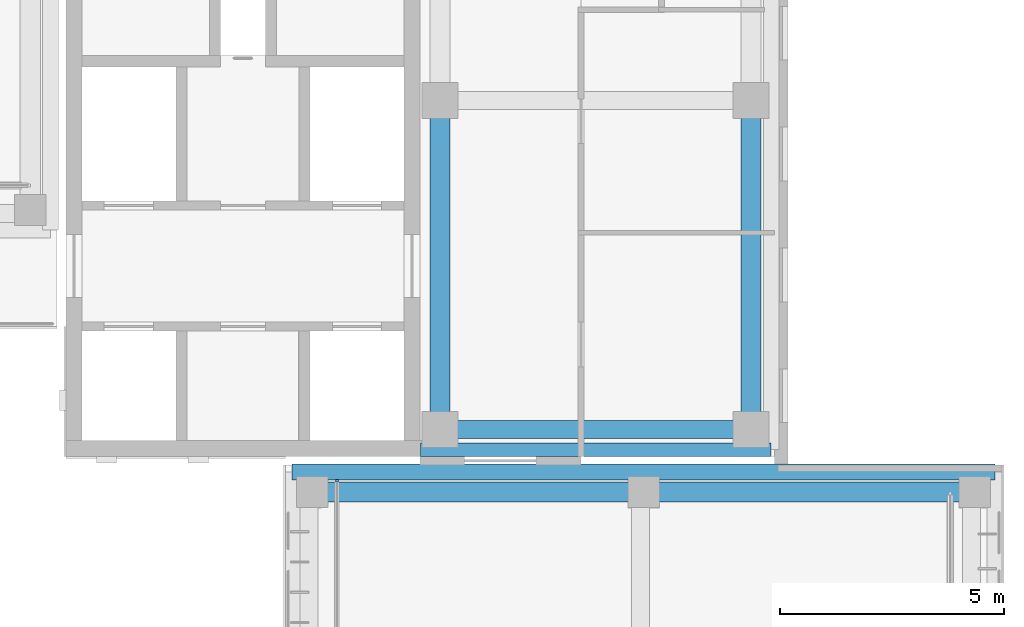
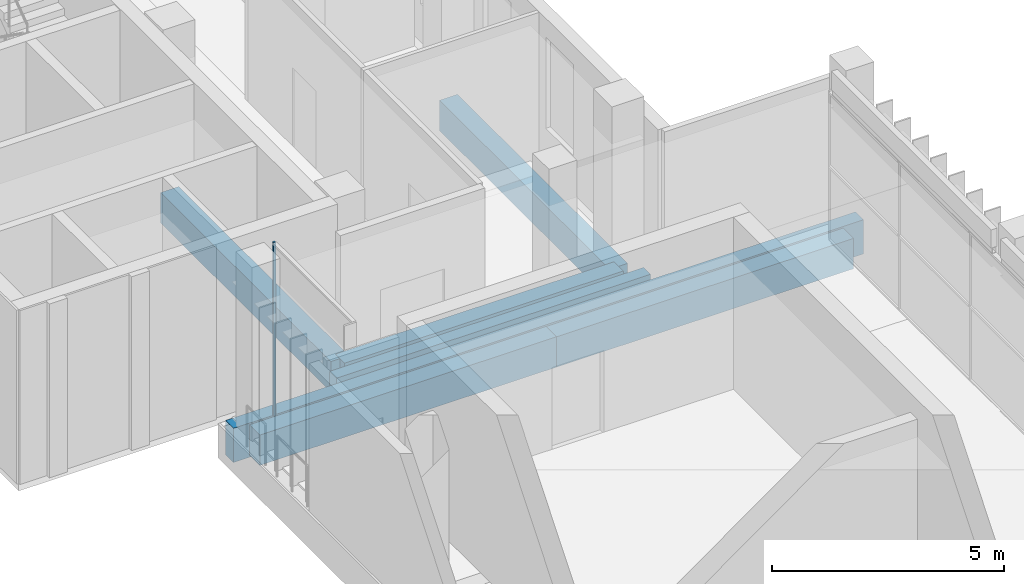
# One storey, part 33 of 73: 7 beams, 1 member, 1 element without a shape of its own.
"""IFC4 building model written with IfcOpenShell, lengths in metres."""

from ifc_helpers import new_model, si_unit, direction, frame, origin, origin_2d, place, context, subcontext, project, spatial, rectangle, extrude, material, material_profile, profile_set, type_object, element, aggregate, save


model = new_model("IFC4")

# Units and contexts
model_context = context("Model", 3, precision=1e-05, world=origin(), true_north=direction((0.0, 1.0)))
body_context = subcontext(model_context, "Body", "Model", "MODEL_VIEW")
ifc_project = project(units=[si_unit("LENGTHUNIT", "METRE"), si_unit("AREAUNIT", "SQUARE_METRE"), si_unit("VOLUMEUNIT", "CUBIC_METRE"), si_unit("PLANEANGLEUNIT", "RADIAN"), si_unit("MASSUNIT", "GRAM", prefix="KILO")], contexts=[model_context])

# Site, building, storey
site_placement = place(None, origin())
site = spatial("IfcSite", under=ifc_project, at=site_placement, CompositionType="ELEMENT")
building_placement = place(site_placement, origin())
building = spatial("IfcBuilding", under=site, at=building_placement, Name="Lantern Court Media Centre", CompositionType="ELEMENT")
storey_placement = place(building_placement, frame((0.0, 0.0, 24.0)))
storey = spatial("IfcBuildingStorey", under=building, at=storey_placement, Name="L05", CompositionType="ELEMENT", Elevation=24.0)

# Curtain wall, member
ifc_material_1 = material(Name="Curtain wall bay 2400")
curtain_wall_type = type_object("IfcCurtainWallType", Name="Curtain wall bay 2400", PredefinedType="NOTDEFINED", material=ifc_material_1)
curtain_wall_placement = place(storey_placement, origin())
curtain_wall = element("IfcCurtainWall", 1, at=curtain_wall_placement, inside=storey, type_object=curtain_wall_type, Name="Curtain wall E inner L05", PredefinedType="NOTDEFINED")
ifc_material_2 = material(Name="Anodised aluminium", Category="aluminium")
ifc_material_profile_1 = material_profile(ifc_material_2, rectangle(XDim=0.06005859375, YDim=0.050048828125, at=origin_2d()), Name="AL 50x60")
ifc_profile_set_1 = profile_set([ifc_material_profile_1], Name="Anodised aluminium")
member_type = type_object("IfcMemberType", Name="Curtain wall mullion 50x60", PredefinedType="MULLION", material=ifc_profile_set_1)
member_placement = place(storey_placement, frame((86.14990234375, 95.554931640625, 0.0), z_axis=(0.0, 0.0, 1.0), x_axis=(-1.0, 0.0, 0.0)))
member = element("IfcMember", 2, at=member_placement, type_object=member_type, Name="CW2 mullion 2", PredefinedType="MULLION", context=body_context, shape_type="SweptSolid", body=[
    extrude(rectangle(XDim=0.06005859375, YDim=0.050048828125, at=origin_2d()), origin(), (0.0, 0.0, 1.0), 4.580078125),
])
aggregate(curtain_wall, [member])

# Beams
ifc_material_3 = material(Name="Concrete C35", Category="concrete")
ifc_material_profile_2 = material_profile(ifc_material_3, rectangle(XDim=0.300048828125, YDim=0.89990234375, at=origin_2d()), Name="RC 300x900")
ifc_profile_set_2 = profile_set([ifc_material_profile_2], Name="Concrete C35")
beam_type_1 = type_object("IfcBeamType", Name="RC BEAM 300x900", PredefinedType="BEAM", material=ifc_profile_set_2)
beam_1_placement = place(storey_placement, frame((88.02001953125, 96.25, -0.449951171875), z_axis=(1.0, 0.0, 0.0), x_axis=(0.0, 1.0, 0.0)))
element("IfcBeam", 3, at=beam_1_placement, inside=storey, type_object=beam_type_1, Name="EB-NE-L05-S", PredefinedType="BEAM", context=body_context, shape_type="SweptSolid", body=[
    extrude(rectangle(XDim=0.300048828125, YDim=0.89990234375, at=origin_2d()), origin(), (0.0, 0.0, 1.0), 7.830078125),
])
ifc_material_profile_3 = material_profile(ifc_material_3, rectangle(XDim=0.35009765625, YDim=0.89990234375, at=origin_2d()), Name="RC 350x900")
ifc_profile_set_3 = profile_set([ifc_material_profile_3], Name="Concrete C35")
beam_type_2 = type_object("IfcBeamType", Name="RC BEAM 350x900", PredefinedType="BEAM", material=ifc_profile_set_3)
beam_2_placement = place(storey_placement, frame((85.14990234375, 95.75, -0.449951171875), z_axis=(1.0, 0.0, 0.0), x_axis=(0.0, 1.0, 0.0)))
element("IfcBeam", 4, at=beam_2_placement, inside=storey, type_object=beam_type_2, Name="EB-E-L05-D", PredefinedType="BEAM", context=body_context, shape_type="SweptSolid", body=[
    extrude(rectangle(XDim=0.35009765625, YDim=0.89990234375, at=origin_2d()), origin(), (0.0, 0.0, 1.0), 15.7001953125),
])
ifc_material_profile_4 = material_profile(ifc_material_3, rectangle(XDim=0.39990234375, YDim=0.800048828125, at=origin_2d()), Name="RC 400x800")
ifc_profile_set_4 = profile_set([ifc_material_profile_4], Name="Concrete C35")
beam_type_3 = type_object("IfcBeamType", Name="RC BEAM 400x800", PredefinedType="BEAM", material=ifc_profile_set_4)
beam_3_placement = place(storey_placement, frame((88.449951171875, 96.699951171875, -0.39990234375), z_axis=(1.0, 0.0, 0.0), x_axis=(0.0, 1.0, 0.0)))
element("IfcBeam", 5, at=beam_3_placement, inside=storey, type_object=beam_type_3, Name="BB-NE-L05-Y0-96", PredefinedType="BEAM", context=body_context, shape_type="SweptSolid", body=[
    extrude(rectangle(XDim=0.39990234375, YDim=0.800048828125, at=origin_2d()), origin(), (0.0, 0.0, 1.0), 6.949951171875),
])
ifc_material_profile_5 = material_profile(ifc_material_3, rectangle(XDim=0.449951171875, YDim=0.800048828125, at=origin_2d()), Name="RC 450x800")
ifc_profile_set_5 = profile_set([ifc_material_profile_5], Name="Concrete C35")
beam_type_4 = type_object("IfcBeamType", Name="RC BEAM 450x800", PredefinedType="BEAM", material=ifc_profile_set_5)
for number, where, z_axis, x_axis, name in (
    (6, (88.449951171875, 96.699951171875, -0.39990234375), (0.0, 1.0, 0.0), (-1.0, 0.0, 0.0), "BB-NE-L05-X0-88"),
    (7, (95.39990234375, 96.699951171875, -0.39990234375), (0.0, 1.0, 0.0), (-1.0, 0.0, 0.0), "BB-NE-L05-X0-95"),
):
    element("IfcBeam", number, at=place(storey_placement, frame(where, z_axis=z_axis, x_axis=x_axis)), inside=storey, type_object=beam_type_4, Name=name, PredefinedType="BEAM", context=body_context, shape_type="SweptSolid", body=[
        extrude(rectangle(XDim=0.449951171875, YDim=0.800048828125, at=origin_2d()), origin(), (0.0, 0.0, 1.0), 7.35009765625),
    ])
beam_4_placement = place(storey_placement, frame((85.5166015625, 95.300048828125, -0.39990234375), z_axis=(1.0, 0.0, 0.0), x_axis=(0.0, 1.0, 0.0)))
element("IfcBeam", 8, at=beam_4_placement, inside=storey, type_object=beam_type_4, Name="TB-E-L05-4-1", PredefinedType="BEAM", context=body_context, shape_type="SweptSolid", body=[
    extrude(rectangle(XDim=0.449951171875, YDim=0.800048828125, at=origin_2d()), origin(), (0.0, 0.0, 1.0), 7.400146484375),
])
beam_5_placement = place(storey_placement, frame((92.916748046875, 95.300048828125, -0.39990234375), z_axis=(1.0, 0.0, 0.0), x_axis=(0.0, 1.0, 0.0)))
element("IfcBeam", 9, at=beam_5_placement, inside=storey, type_object=beam_type_4, Name="TB-E-L05-4-2", PredefinedType="BEAM", context=body_context, shape_type="SweptSolid", body=[
    extrude(rectangle(XDim=0.449951171875, YDim=0.800048828125, at=origin_2d()), origin(), (0.0, 0.0, 1.0), 7.39990234375),
])

save(model, "model.ifc")
